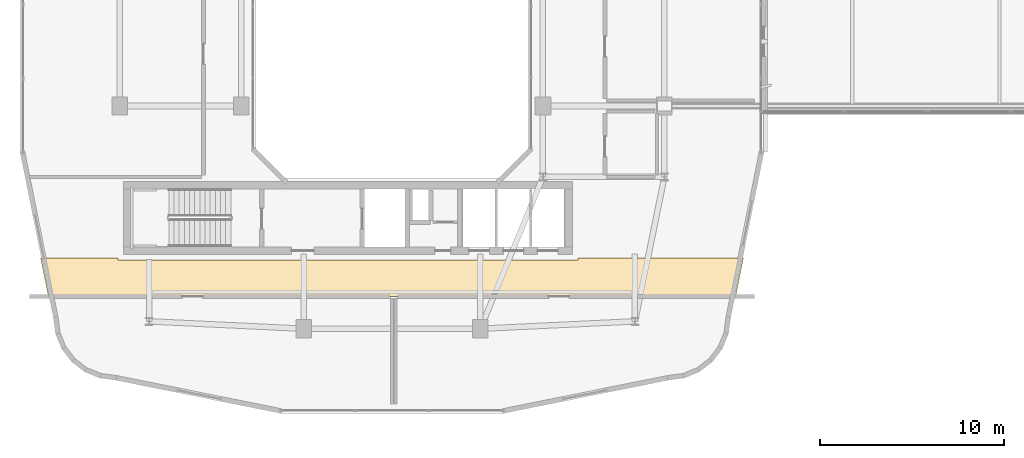
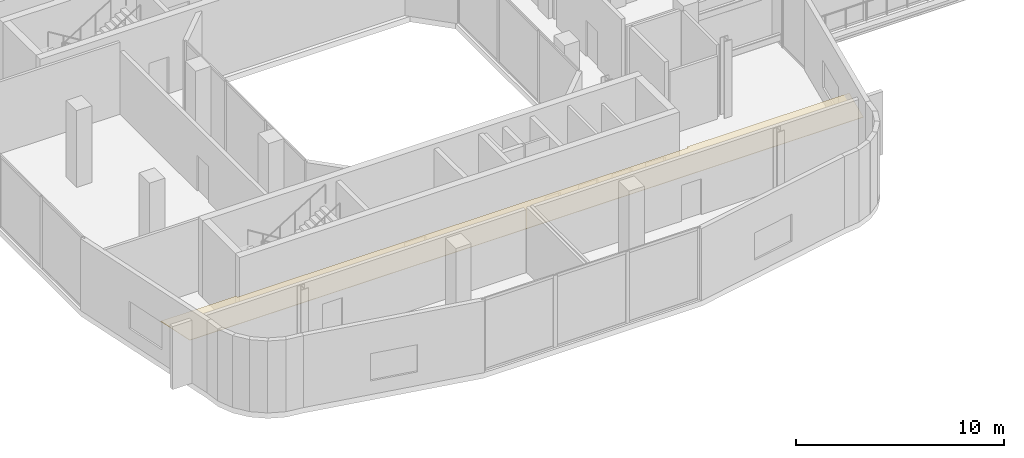
# One storey, part 21 of 24: 1 covering.
"""IFC4 building model written with IfcOpenShell, lengths in metres."""

from ifc_helpers import new_model, si_unit, derived_unit, direction, frame, origin, place, context, subcontext, project, spatial, polyline, outline, extrude, material, layer, layer_set, type_object, element, save


model = new_model("IFC4")

# Units and contexts
model_context = context("Model", 3, precision=1e-05, world=origin(), true_north=direction((0.0, 1.0)))
body_context = subcontext(model_context, "Body", "Model", "MODEL_VIEW")
ifc_project = project(units=[si_unit("LENGTHUNIT", "METRE"), si_unit("AREAUNIT", "SQUARE_METRE"), si_unit("VOLUMEUNIT", "CUBIC_METRE"), si_unit("PLANEANGLEUNIT", "RADIAN"), si_unit("MASSUNIT", "GRAM", prefix="KILO"), derived_unit("THERMALTRANSMITTANCEUNIT", [(si_unit("POWERUNIT", "WATT"), 1), (si_unit("LENGTHUNIT", "METRE"), -2), (si_unit("THERMODYNAMICTEMPERATUREUNIT", "KELVIN"), -1)])], contexts=[model_context])

# Site, building, storey
site_placement = place(None, origin())
site = spatial("IfcSite", under=ifc_project, at=site_placement, CompositionType="ELEMENT")
building_placement = place(site_placement, origin())
building = spatial("IfcBuilding", under=site, at=building_placement, Name="Kivonza Crest Hotel", CompositionType="ELEMENT")
storey_placement = place(building_placement, frame((0.0, 0.0, 119.5)))
storey = spatial("IfcBuildingStorey", under=building, at=storey_placement, Name="L32", CompositionType="ELEMENT", Elevation=119.5)

# Covering
ifc_material = material(Name="Mineral-fibre acoustic ceiling tile", Category="gypsum")
ifc_layer = layer(ifc_material, 0.02490234375)
ifc_layer_set = layer_set([ifc_layer], Name="Mineral-fibre acoustic ceiling tile")
covering_type = type_object("IfcCoveringType", Name="CV-CEIL-ACOU", PredefinedType="CEILING", material=ifc_layer_set)
covering_placement = place(storey_placement, frame((0.0, 0.0, 2.449951171875)))
element("IfcCovering", 1, at=covering_placement, inside=storey, type_object=covering_type, Name="L32 Sky Lobby South and East Corridor suspended ceiling", PredefinedType="CEILING", context=body_context, shape_type="SweptSolid", body=[
    extrude(outline(polyline([(39.675048828125, 11.159912109375), (40.093017578125, 13.239990234375), (31.10009765625, 13.239990234375), (31.10009765625, 13.139892578125), (6.10009765625, 13.139892578125), (6.10009765625, 13.239990234375), (1.906982421875, 13.239990234375), (2.324951171875, 11.159912109375), (39.675048828125, 11.159912109375)])), origin(), (0.0, 0.0, 1.0), 0.025146484375),
])

save(model, "model.ifc")
